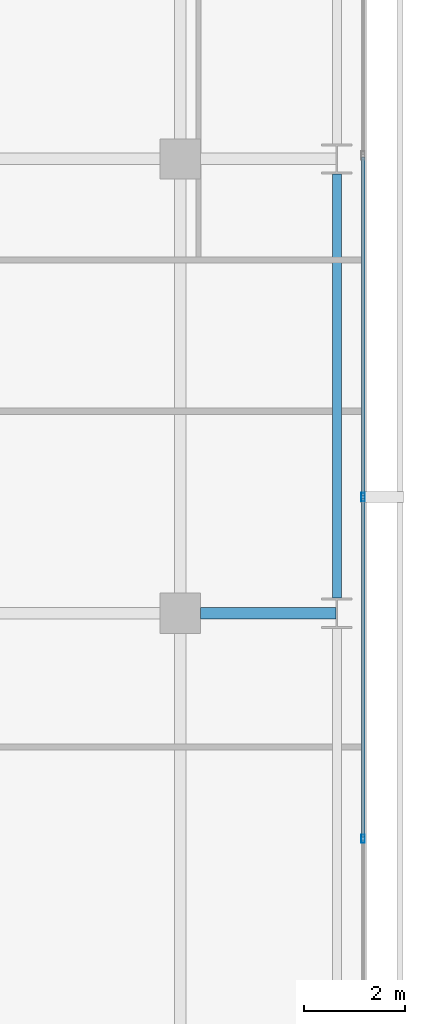
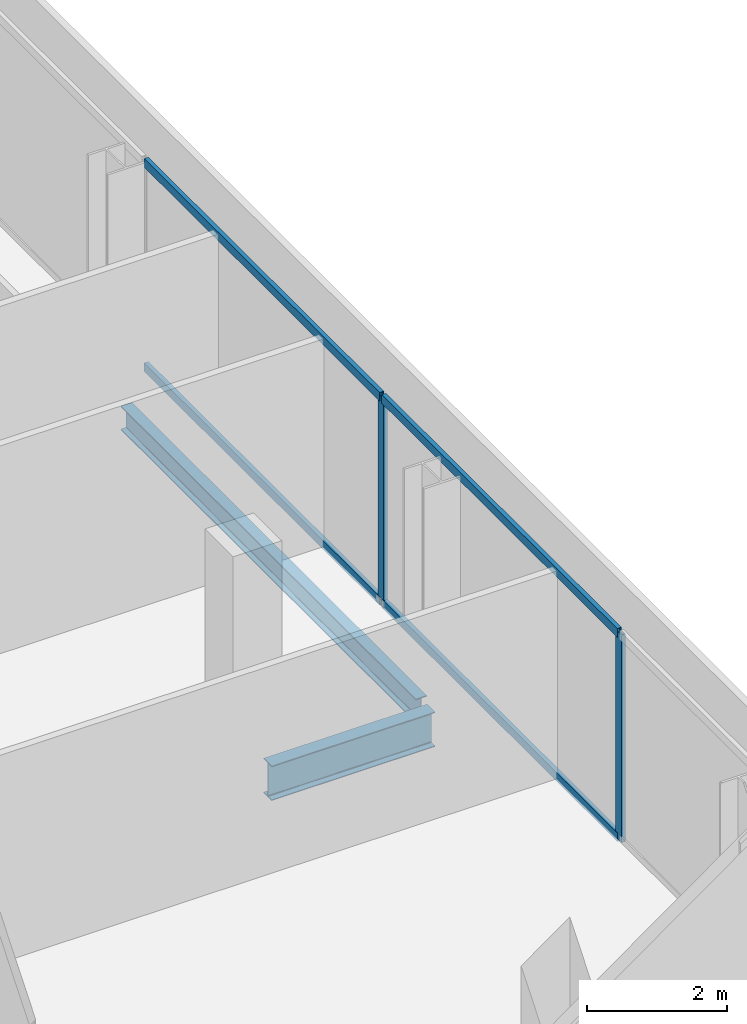
# One storey, part 17 of 32: 6 members, 2 beams, 1 element without a shape of its own.
"""IFC4 building model written with IfcOpenShell, lengths in metres."""

from ifc_helpers import new_model, si_unit, direction, frame, origin, origin_2d, place, context, subcontext, project, spatial, hollow_rectangle, i_section, extrude, material, layer, layer_set, material_profile, profile_set, type_object, element, aggregate, save


model = new_model("IFC4")

# Units and contexts
model_context = context("Model", 3, precision=1e-05, world=origin(), true_north=direction((0.0, 1.0)))
body_context = subcontext(model_context, "Body", "Model", "MODEL_VIEW")
ifc_project = project(units=[si_unit("LENGTHUNIT", "METRE"), si_unit("AREAUNIT", "SQUARE_METRE"), si_unit("VOLUMEUNIT", "CUBIC_METRE"), si_unit("PLANEANGLEUNIT", "RADIAN"), si_unit("MASSUNIT", "GRAM", prefix="KILO")], contexts=[model_context])

# Site, building, storey
site_placement = place(None, origin())
site = spatial("IfcSite", under=ifc_project, at=site_placement, CompositionType="ELEMENT")
building_placement = place(site_placement, origin())
building = spatial("IfcBuilding", under=site, at=building_placement, Name="Maruvema Waterfront Hotel and Observation Tower", CompositionType="ELEMENT")
storey_placement = place(building_placement, frame((0.0, 0.0, 165.89990234375)))
storey = spatial("IfcBuildingStorey", under=building, at=storey_placement, Name="L40", CompositionType="ELEMENT", Elevation=165.89990234375)

# Curtain wall, members
ifc_material_1 = material(Name="Anodised bronze aluminium and solar-control low-E IGU", Category="aluminium")
ifc_layer = layer(ifc_material_1, 0.159912109375, Name="Zone 2 Amber Inner Thermal Curtain Wall System CW-03")
ifc_layer_set = layer_set([ifc_layer], Name="Anodised bronze aluminium and solar-control low-E IGU")
curtain_wall_type = type_object("IfcCurtainWallType", Name="Zone 2 Amber Inner Thermal Curtain Wall System CW-03", PredefinedType="USERDEFINED", material=ifc_layer_set)
curtain_wall_placement = place(storey_placement, origin())
curtain_wall = element("IfcCurtainWall", 1, at=curtain_wall_placement, inside=storey, type_object=curtain_wall_type, Name="L40 Curtain Wall CW-L40-E", ObjectType="UNITISED CURTAIN WALL", PredefinedType="USERDEFINED")
ifc_material_2 = material(Name="Anodised architectural bronze aluminium", Category="aluminium")
ifc_material_profile_1 = material_profile(ifc_material_2, hollow_rectangle(XDim=0.070068359375, YDim=0.14990234375, WallThickness=0.00390625, at=origin_2d()), Name="ALU-T70x150")
ifc_profile_set_1 = profile_set([ifc_material_profile_1], Name="Anodised architectural bronze aluminium")
member_type_1 = type_object("IfcMemberType", Name="Curtain Wall Horizontal Transom ALU-T70x150", PredefinedType="USERDEFINED", material=ifc_profile_set_1)
member_1_placement = place(storey_placement, frame((62.419921875, 22.563232421875, 0.030029296875), z_axis=(0.0, 1.0, 0.0), x_axis=(-1.0, 0.0, 0.0)))
member_1 = element("IfcMember", 2, at=member_1_placement, type_object=member_type_1, Name="CW-03 transom 3.1", ObjectType="TRANSOM", PredefinedType="USERDEFINED", context=body_context, shape_type="SweptSolid", body=[
    extrude(hollow_rectangle(XDim=0.070068359375, YDim=0.14990234375, WallThickness=0.00390625, at=origin_2d()), origin(), (0.0, 0.0, 1.0), 6.706787109375),
])
member_2_placement = place(storey_placement, frame((62.419921875, 22.563232421875, 3.580078125), z_axis=(0.0, 1.0, 0.0), x_axis=(-1.0, 0.0, 0.0)))
member_2 = element("IfcMember", 3, at=member_2_placement, type_object=member_type_1, Name="CW-03 transom 3.2", ObjectType="TRANSOM", PredefinedType="USERDEFINED", context=body_context, shape_type="SweptSolid", body=[
    extrude(hollow_rectangle(XDim=0.070068359375, YDim=0.14990234375, WallThickness=0.00390625, at=origin_2d()), origin(), (0.0, 0.0, 1.0), 6.706787109375),
])
member_3_placement = place(storey_placement, frame((62.419921875, 29.330078125, 0.030029296875), z_axis=(0.0, 1.0, 0.0), x_axis=(-1.0, 0.0, 0.0)))
member_3 = element("IfcMember", 4, at=member_3_placement, type_object=member_type_1, Name="CW-03 transom 4.1", ObjectType="TRANSOM", PredefinedType="USERDEFINED", context=body_context, shape_type="SweptSolid", body=[
    extrude(hollow_rectangle(XDim=0.070068359375, YDim=0.14990234375, WallThickness=0.00390625, at=origin_2d()), origin(), (0.0, 0.0, 1.0), 6.70654296875),
])
member_4_placement = place(storey_placement, frame((62.419921875, 29.330078125, 3.580078125), z_axis=(0.0, 1.0, 0.0), x_axis=(-1.0, 0.0, 0.0)))
member_4 = element("IfcMember", 5, at=member_4_placement, type_object=member_type_1, Name="CW-03 transom 4.2", ObjectType="TRANSOM", PredefinedType="USERDEFINED", context=body_context, shape_type="SweptSolid", body=[
    extrude(hollow_rectangle(XDim=0.070068359375, YDim=0.14990234375, WallThickness=0.00390625, at=origin_2d()), origin(), (0.0, 0.0, 1.0), 6.70654296875),
])
ifc_material_3 = material(Name="Anodised architectural bronze aluminium", Category="aluminium")
ifc_material_profile_2 = material_profile(ifc_material_3, hollow_rectangle(XDim=0.06494140625, YDim=0.1650390625, WallThickness=0.00390625, at=origin_2d()), Name="ALU-M65x165")
ifc_profile_set_2 = profile_set([ifc_material_profile_2], Name="Anodised architectural bronze aluminium")
member_type_2 = type_object("IfcMemberType", Name="Curtain Wall Primary Mullion ALU-M65x165", PredefinedType="MULLION", material=ifc_profile_set_2)
member_5_placement = place(storey_placement, frame((62.419921875, 22.533447265625, 0.0), z_axis=(0.0, 0.0, 1.0), x_axis=(-1.0, 0.0, 0.0)))
member_5 = element("IfcMember", 6, at=member_5_placement, type_object=member_type_2, Name="CW-03 mullion 3", PredefinedType="MULLION", context=body_context, shape_type="SweptSolid", body=[
    extrude(hollow_rectangle(XDim=0.06494140625, YDim=0.1650390625, WallThickness=0.00390625, at=origin_2d()), origin(), (0.0, 0.0, 1.0), 3.610107421875),
])
member_6_placement = place(storey_placement, frame((62.419921875, 29.300048828125, 0.0), z_axis=(0.0, 0.0, 1.0), x_axis=(-1.0, 0.0, 0.0)))
member_6 = element("IfcMember", 7, at=member_6_placement, type_object=member_type_2, Name="CW-03 mullion 4", PredefinedType="MULLION", context=body_context, shape_type="SweptSolid", body=[
    extrude(hollow_rectangle(XDim=0.06494140625, YDim=0.1650390625, WallThickness=0.00390625, at=origin_2d()), origin(), (0.0, 0.0, 1.0), 3.610107421875),
])
aggregate(curtain_wall, [member_5, member_6, member_1, member_2, member_3, member_4])

# Beams
ifc_material_4 = material(Name="Steel ASTM A572 Grade 50", Category="steel")
ifc_material_profile_3 = material_profile(ifc_material_4, i_section(OverallWidth=0.180908203125, OverallDepth=0.4169921875, WebThickness=0.010986328125, FlangeThickness=0.018310546875, FilletRadius=0.014892578125, at=origin_2d()), Name="W410x85.0")
ifc_profile_set_3 = profile_set([ifc_material_profile_3], Name="Steel ASTM A572 Grade 50")
beam_type_1 = type_object("IfcBeamType", Name="Perimeter Spandrel Beam W410x85.0", PredefinedType="SPANDREL", material=ifc_profile_set_3)
beam_1_placement = place(storey_placement, frame((61.89990234375, 27.300048828125, -0.448486328125), z_axis=(0.0, 1.0, 0.0), x_axis=(-1.0, 0.0, 0.0)))
element("IfcBeam", 8, at=beam_1_placement, inside=storey, type_object=beam_type_1, Name="L40 Floor Girder NS-31", PredefinedType="SPANDREL", context=body_context, shape_type="SweptSolid", body=[
    extrude(i_section(OverallWidth=0.180908203125, OverallDepth=0.4169921875, WebThickness=0.010986328125, FlangeThickness=0.018310546875, FilletRadius=0.014892578125, at=origin_2d()), origin(), (0.0, 0.0, 1.0), 8.39990234375),
])
ifc_material_5 = material(Name="Steel ASTM A572 Grade 50", Category="steel")
ifc_material_profile_4 = material_profile(ifc_material_5, i_section(OverallWidth=0.22802734375, OverallDepth=0.60302734375, WebThickness=0.010498046875, FlangeThickness=0.014892578125, FilletRadius=0.01806640625, at=origin_2d()), Name="W610x101.0")
ifc_profile_set_4 = profile_set([ifc_material_profile_4], Name="Steel ASTM A572 Grade 50")
beam_type_2 = type_object("IfcBeamType", Name="Primary Floor Girder W610x101.0", PredefinedType="BEAM", material=ifc_profile_set_4)
beam_2_placement = place(storey_placement, frame((59.199951171875, 27.0, -0.54150390625), z_axis=(1.0, 0.0, 0.0), x_axis=(0.0, 1.0, 0.0)))
element("IfcBeam", 9, at=beam_2_placement, inside=storey, type_object=beam_type_2, Name="L40 Floor Girder EW-22", PredefinedType="BEAM", context=body_context, shape_type="SweptSolid", body=[
    extrude(i_section(OverallWidth=0.22802734375, OverallDepth=0.60302734375, WebThickness=0.010498046875, FlangeThickness=0.014892578125, FilletRadius=0.01806640625, at=origin_2d()), origin(), (0.0, 0.0, 1.0), 2.6875),
])

save(model, "model.ifc")
